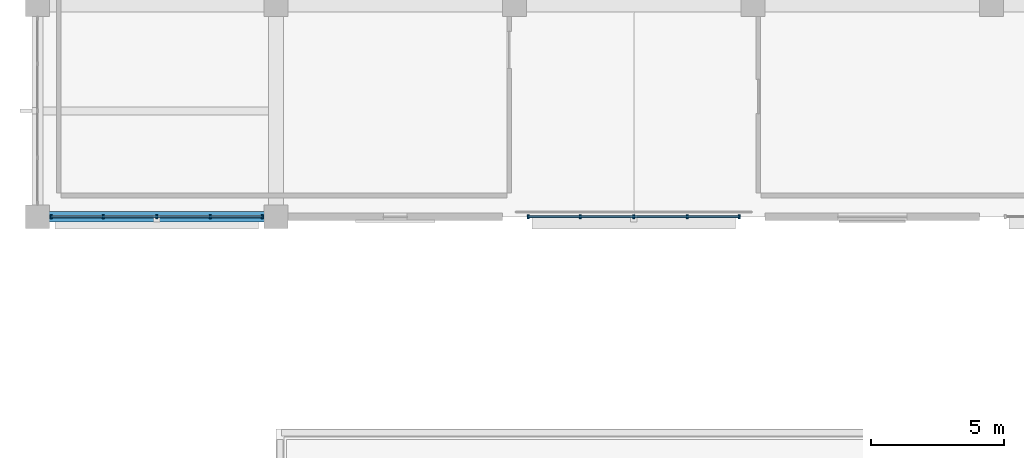
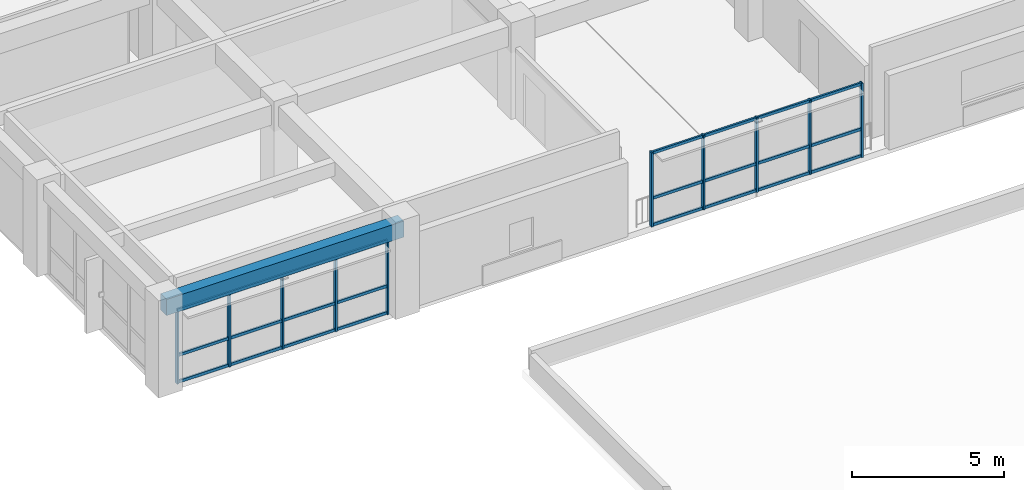
# One storey, part 2 of 23: 16 members, 1 beam, 2 elements without a shape of their own.
"""IFC4 building model written with IfcOpenShell, lengths in metres."""

from ifc_helpers import new_model, si_unit, direction, frame, origin, origin_2d, place, context, subcontext, project, spatial, rectangle, extrude, material, material_profile, profile_set, type_object, element, aggregate, save


model = new_model("IFC4")

# Units and contexts
model_context = context("Model", 3, precision=1e-05, world=origin(), true_north=direction((0.0, 1.0)))
body_context = subcontext(model_context, "Body", "Model", "MODEL_VIEW")
ifc_project = project(units=[si_unit("LENGTHUNIT", "METRE"), si_unit("AREAUNIT", "SQUARE_METRE"), si_unit("VOLUMEUNIT", "CUBIC_METRE"), si_unit("PLANEANGLEUNIT", "RADIAN"), si_unit("MASSUNIT", "GRAM", prefix="KILO")], contexts=[model_context])

# Site, building, storey
site_placement = place(None, origin())
site = spatial("IfcSite", under=ifc_project, at=site_placement, CompositionType="ELEMENT")
building_placement = place(site_placement, origin())
building = spatial("IfcBuilding", under=site, at=building_placement, Name="Zaverband Oceanarium and Marine Research Institute", CompositionType="ELEMENT")
storey_placement = place(building_placement, frame((0.0, 0.0, 21.89990234375)))
storey = spatial("IfcBuildingStorey", under=building, at=storey_placement, Name="L05", CompositionType="ELEMENT", Elevation=21.89990234375)

# Curtain wall, members
ifc_material_1 = material(Name="Thermally broken anodized aluminium and solar-control glass", Category="aluminium")
curtain_wall_type = type_object("IfcCurtainWallType", Name="CW-UNIT-1800", PredefinedType="NOTDEFINED", material=ifc_material_1)
curtain_wall_1_placement = place(storey_placement, origin())
curtain_wall_1 = element("IfcCurtainWall", 1, at=curtain_wall_1_placement, inside=storey, type_object=curtain_wall_type, Name="Unitised glazed curtain wall CW-067", PredefinedType="NOTDEFINED")
ifc_material_2 = material(Name="Thermally broken anodized aluminium", Category="aluminium")
ifc_material_profile_1 = material_profile(ifc_material_2, rectangle(XDim=0.070068359375, YDim=0.14990234375, at=origin_2d()), Name="AL-MUL-70x150")
ifc_profile_set_1 = profile_set([ifc_material_profile_1], Name="Thermally broken anodized aluminium")
member_type_1 = type_object("IfcMemberType", Name="MUL-70x150", PredefinedType="MULLION", material=ifc_profile_set_1)
member_1_placement = place(storey_placement, frame((9.514892578125, 64.0, 0.0), z_axis=(0.0, 0.0, 1.0), x_axis=(1.0, 0.0, 0.0)))
member_1 = element("IfcMember", 2, at=member_1_placement, type_object=member_type_1, Name="Curtain wall vertical mullion MUL-70x150", PredefinedType="MULLION", context=body_context, shape_type="SweptSolid", body=[
    extrude(rectangle(XDim=0.070068359375, YDim=0.14990234375, at=origin_2d()), origin(), (0.0, 0.0, 1.0), 2.97998046875),
])
member_2_placement = place(storey_placement, frame((11.4775390625, 64.0, 0.0), z_axis=(0.0, 0.0, 1.0), x_axis=(1.0, 0.0, 0.0)))
member_2 = element("IfcMember", 3, at=member_2_placement, type_object=member_type_1, Name="Curtain wall vertical mullion MUL-70x150", PredefinedType="MULLION", context=body_context, shape_type="SweptSolid", body=[
    extrude(rectangle(XDim=0.070068359375, YDim=0.14990234375, at=origin_2d()), origin(), (0.0, 0.0, 1.0), 2.97998046875),
])
member_3_placement = place(storey_placement, frame((13.5, 64.0, 0.0), z_axis=(0.0, 0.0, 1.0), x_axis=(1.0, 0.0, 0.0)))
member_3 = element("IfcMember", 4, at=member_3_placement, type_object=member_type_1, Name="Curtain wall vertical mullion MUL-70x150", PredefinedType="MULLION", context=body_context, shape_type="SweptSolid", body=[
    extrude(rectangle(XDim=0.070068359375, YDim=0.14990234375, at=origin_2d()), origin(), (0.0, 0.0, 1.0), 2.97998046875),
])
member_4_placement = place(storey_placement, frame((15.5224609375, 64.0, 0.0), z_axis=(0.0, 0.0, 1.0), x_axis=(1.0, 0.0, 0.0)))
member_4 = element("IfcMember", 5, at=member_4_placement, type_object=member_type_1, Name="Curtain wall vertical mullion MUL-70x150", PredefinedType="MULLION", context=body_context, shape_type="SweptSolid", body=[
    extrude(rectangle(XDim=0.070068359375, YDim=0.14990234375, at=origin_2d()), origin(), (0.0, 0.0, 1.0), 2.97998046875),
])
member_5_placement = place(storey_placement, frame((17.485107421875, 64.0, 0.0), z_axis=(0.0, 0.0, 1.0), x_axis=(1.0, 0.0, 0.0)))
member_5 = element("IfcMember", 6, at=member_5_placement, type_object=member_type_1, Name="Curtain wall vertical mullion MUL-70x150", PredefinedType="MULLION", context=body_context, shape_type="SweptSolid", body=[
    extrude(rectangle(XDim=0.070068359375, YDim=0.14990234375, at=origin_2d()), origin(), (0.0, 0.0, 1.0), 2.97998046875),
])

curtain_wall_2_placement = place(storey_placement, origin())
curtain_wall_2 = element("IfcCurtainWall", 7, at=curtain_wall_2_placement, inside=storey, type_object=curtain_wall_type, Name="Unitised glazed curtain wall CW-068", PredefinedType="NOTDEFINED")
member_6_placement = place(storey_placement, frame((27.514892578125, 64.0, 0.0), z_axis=(0.0, 0.0, 1.0), x_axis=(1.0, 0.0, 0.0)))
member_6 = element("IfcMember", 8, at=member_6_placement, type_object=member_type_1, Name="Curtain wall vertical mullion MUL-70x150", PredefinedType="MULLION", context=body_context, shape_type="SweptSolid", body=[
    extrude(rectangle(XDim=0.070068359375, YDim=0.14990234375, at=origin_2d()), origin(), (0.0, 0.0, 1.0), 2.97998046875),
])
member_7_placement = place(storey_placement, frame((29.4775390625, 64.0, 0.0), z_axis=(0.0, 0.0, 1.0), x_axis=(1.0, 0.0, 0.0)))
member_7 = element("IfcMember", 9, at=member_7_placement, type_object=member_type_1, Name="Curtain wall vertical mullion MUL-70x150", PredefinedType="MULLION", context=body_context, shape_type="SweptSolid", body=[
    extrude(rectangle(XDim=0.070068359375, YDim=0.14990234375, at=origin_2d()), origin(), (0.0, 0.0, 1.0), 2.97998046875),
])
member_8_placement = place(storey_placement, frame((31.5, 64.0, 0.0), z_axis=(0.0, 0.0, 1.0), x_axis=(1.0, 0.0, 0.0)))
member_8 = element("IfcMember", 10, at=member_8_placement, type_object=member_type_1, Name="Curtain wall vertical mullion MUL-70x150", PredefinedType="MULLION", context=body_context, shape_type="SweptSolid", body=[
    extrude(rectangle(XDim=0.070068359375, YDim=0.14990234375, at=origin_2d()), origin(), (0.0, 0.0, 1.0), 2.97998046875),
])
member_9_placement = place(storey_placement, frame((33.5224609375, 64.0, 0.0), z_axis=(0.0, 0.0, 1.0), x_axis=(1.0, 0.0, 0.0)))
member_9 = element("IfcMember", 11, at=member_9_placement, type_object=member_type_1, Name="Curtain wall vertical mullion MUL-70x150", PredefinedType="MULLION", context=body_context, shape_type="SweptSolid", body=[
    extrude(rectangle(XDim=0.070068359375, YDim=0.14990234375, at=origin_2d()), origin(), (0.0, 0.0, 1.0), 2.97998046875),
])
member_10_placement = place(storey_placement, frame((35.485107421875, 64.0, 0.0), z_axis=(0.0, 0.0, 1.0), x_axis=(1.0, 0.0, 0.0)))
member_10 = element("IfcMember", 12, at=member_10_placement, type_object=member_type_1, Name="Curtain wall vertical mullion MUL-70x150", PredefinedType="MULLION", context=body_context, shape_type="SweptSolid", body=[
    extrude(rectangle(XDim=0.070068359375, YDim=0.14990234375, at=origin_2d()), origin(), (0.0, 0.0, 1.0), 2.97998046875),
])

# Beam
ifc_material_3 = material(Name="Concrete C40/50", Category="concrete")
ifc_material_profile_2 = material_profile(ifc_material_3, rectangle(XDim=0.39990234375, YDim=0.64990234375, at=origin_2d()), Name="RC400x650")
ifc_profile_set_2 = profile_set([ifc_material_profile_2], Name="Concrete C40/50")
beam_type = type_object("IfcBeamType", Name="SPN-400x650", PredefinedType="SPANDREL", material=ifc_profile_set_2)
beam_placement = place(storey_placement, frame((9.0, 64.0, 3.3251953125), z_axis=(1.0, 0.0, 0.0), x_axis=(0.0, 1.0, 0.0)))
element("IfcBeam", 13, at=beam_placement, inside=storey, type_object=beam_type, Name="Perimeter spandrel beam SPN-400x650", PredefinedType="SPANDREL", context=body_context, shape_type="SweptSolid", body=[
    extrude(rectangle(XDim=0.39990234375, YDim=0.64990234375, at=origin_2d()), origin(), (0.0, 0.0, 1.0), 9.0),
])

# Member
ifc_material_profile_3 = material_profile(ifc_material_2, rectangle(XDim=0.070068359375, YDim=0.114990234375, at=origin_2d()), Name="AL-TRN-70x115")
ifc_profile_set_3 = profile_set([ifc_material_profile_3], Name="Thermally broken anodized aluminium")
member_type_2 = type_object("IfcMemberType", Name="TRN-70x115", PredefinedType="USERDEFINED", material=ifc_profile_set_3)
member_11_placement = place(storey_placement, frame((9.514892578125, 64.0, 0.050048828125), z_axis=(1.0, 0.0, 0.0), x_axis=(0.0, 1.0, 0.0)))
member_11 = element("IfcMember", 14, at=member_11_placement, type_object=member_type_2, Name="Curtain wall horizontal transom TRN-70x115", ObjectType="TRANSOM", PredefinedType="USERDEFINED", context=body_context, shape_type="SweptSolid", body=[
    extrude(rectangle(XDim=0.070068359375, YDim=0.114990234375, at=origin_2d()), origin(), (0.0, 0.0, 1.0), 7.97021484375),
])

member_12_placement = place(storey_placement, frame((9.514892578125, 64.0, 1.123046875), z_axis=(1.0, 0.0, 0.0), x_axis=(0.0, 1.0, 0.0)))
member_12 = element("IfcMember", 15, at=member_12_placement, type_object=member_type_2, Name="Curtain wall horizontal transom TRN-70x115", ObjectType="TRANSOM", PredefinedType="USERDEFINED", context=body_context, shape_type="SweptSolid", body=[
    extrude(rectangle(XDim=0.070068359375, YDim=0.114990234375, at=origin_2d()), origin(), (0.0, 0.0, 1.0), 7.97021484375),
])

member_13_placement = place(storey_placement, frame((9.514892578125, 64.0, 2.93017578125), z_axis=(1.0, 0.0, 0.0), x_axis=(0.0, 1.0, 0.0)))
member_13 = element("IfcMember", 16, at=member_13_placement, type_object=member_type_2, Name="Curtain wall horizontal transom TRN-70x115", ObjectType="TRANSOM", PredefinedType="USERDEFINED", context=body_context, shape_type="SweptSolid", body=[
    extrude(rectangle(XDim=0.070068359375, YDim=0.114990234375, at=origin_2d()), origin(), (0.0, 0.0, 1.0), 7.97021484375),
])

aggregate(curtain_wall_1, [member_1, member_2, member_3, member_4, member_5, member_11, member_12, member_13])

member_14_placement = place(storey_placement, frame((27.514892578125, 64.0, 0.050048828125), z_axis=(1.0, 0.0, 0.0), x_axis=(0.0, 1.0, 0.0)))
member_14 = element("IfcMember", 17, at=member_14_placement, type_object=member_type_2, Name="Curtain wall horizontal transom TRN-70x115", ObjectType="TRANSOM", PredefinedType="USERDEFINED", context=body_context, shape_type="SweptSolid", body=[
    extrude(rectangle(XDim=0.070068359375, YDim=0.114990234375, at=origin_2d()), origin(), (0.0, 0.0, 1.0), 7.97021484375),
])

member_15_placement = place(storey_placement, frame((27.514892578125, 64.0, 1.123046875), z_axis=(1.0, 0.0, 0.0), x_axis=(0.0, 1.0, 0.0)))
member_15 = element("IfcMember", 18, at=member_15_placement, type_object=member_type_2, Name="Curtain wall horizontal transom TRN-70x115", ObjectType="TRANSOM", PredefinedType="USERDEFINED", context=body_context, shape_type="SweptSolid", body=[
    extrude(rectangle(XDim=0.070068359375, YDim=0.114990234375, at=origin_2d()), origin(), (0.0, 0.0, 1.0), 7.97021484375),
])

member_16_placement = place(storey_placement, frame((27.514892578125, 64.0, 2.93017578125), z_axis=(1.0, 0.0, 0.0), x_axis=(0.0, 1.0, 0.0)))
member_16 = element("IfcMember", 19, at=member_16_placement, type_object=member_type_2, Name="Curtain wall horizontal transom TRN-70x115", ObjectType="TRANSOM", PredefinedType="USERDEFINED", context=body_context, shape_type="SweptSolid", body=[
    extrude(rectangle(XDim=0.070068359375, YDim=0.114990234375, at=origin_2d()), origin(), (0.0, 0.0, 1.0), 7.97021484375),
])

aggregate(curtain_wall_2, [member_6, member_7, member_8, member_9, member_10, member_14, member_15, member_16])

save(model, "model.ifc")
